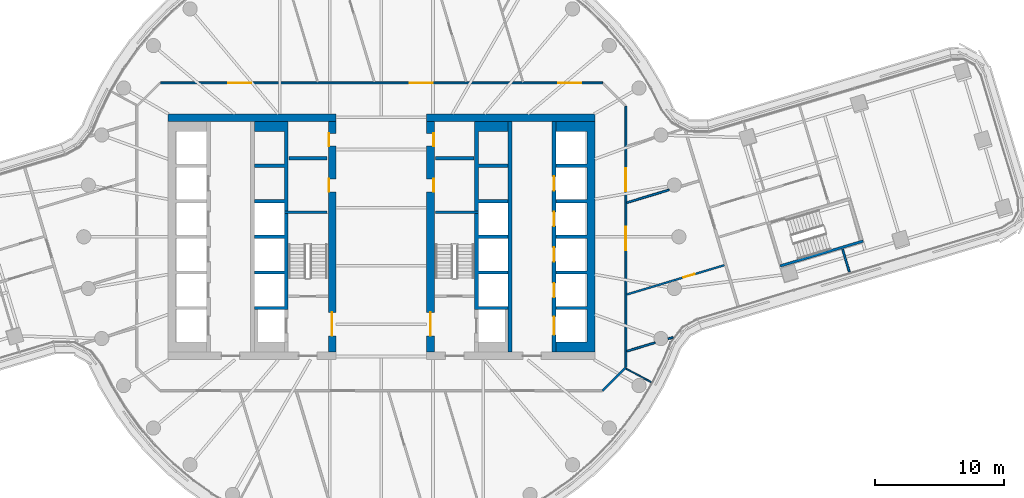
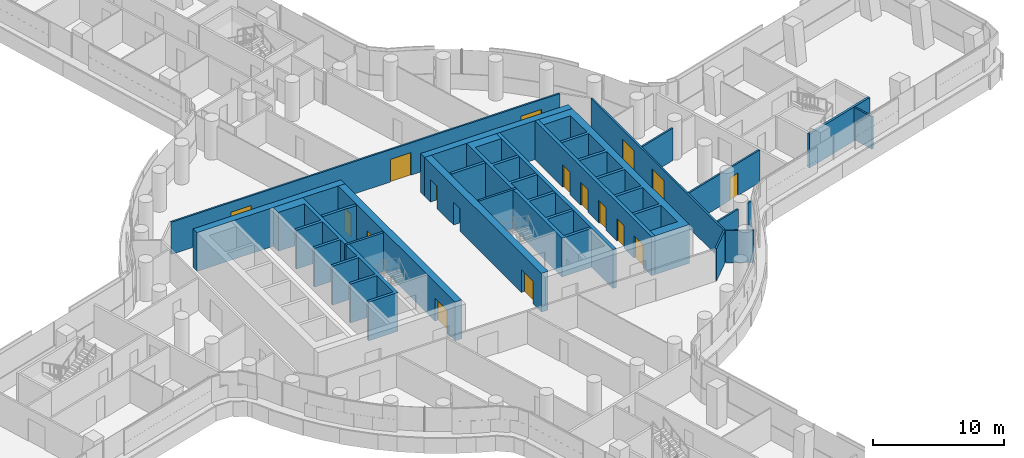
# One storey, part 20 of 32: 23 walls, 17 doors, 17 openings.
"""IFC4 building model written with IfcOpenShell, lengths in metres."""

import ifcopenshell
import ifcopenshell.guid

model = None  # the IFC model being written
_history = None  # IfcOwnerHistory: only IFC2X3 demands one
_inside = {}  # id of a spatial element -> (the spatial element, [elements in it])
_under = {}  # id of a project, library or spatial element -> (it, [spatial elements below it])
_declared = {}  # id of a project -> (the project, [libraries it declares])
_typed = {}  # id of a type object -> (the type object, [elements of that type])
_made_of = {}  # id of a material, layer set ... -> (it, [elements and type objects made of it])


def new_model(schema):
    """Start an empty IFC model of exactly this schema.

    Asked for "IFC4X3", IfcOpenShell would pick the latest addendum, in which some entities
    have other attributes; the version numbers below select the first issue.
    IFC2X3 requires an IfcOwnerHistory on every rooted entity: one is made here for all.
    """
    global model, _history
    if schema == "IFC4X3":
        model = ifcopenshell.file(schema_version=(4, 3, 0, 0))
    else:
        model = ifcopenshell.file(schema=schema)
    _inside.clear()
    _under.clear()
    _declared.clear()
    _typed.clear()
    _made_of.clear()
    _history = None
    if model.schema == "IFC2X3":
        org = make("IfcOrganization", Name="unknown")
        user = make(
            "IfcPersonAndOrganization",
            ThePerson=make("IfcPerson", FamilyName="unknown"),
            TheOrganization=org,
        )
        app = make(
            "IfcApplication",
            ApplicationDeveloper=org,
            Version="unknown",
            ApplicationFullName="unknown",
            ApplicationIdentifier="unknown",
        )
        _history = make(
            "IfcOwnerHistory",
            OwningUser=user,
            OwningApplication=app,
            ChangeAction="ADDED",
            CreationDate=0,
        )
    return model


def make(cls, **values):
    """One entity of the class cls with the attributes given. An attribute that is None is left unset."""
    return model.create_entity(
        cls, **{name: value for name, value in values.items() if value is not None}
    )


def rooted(cls, **values):
    """An entity with a GlobalId (a new one), such as an element, a storey or a relation."""
    return make(cls, GlobalId=ifcopenshell.guid.new(), OwnerHistory=_history, **values)


def si_unit(unit_type, name, prefix=None):
    """IfcSIUnit, for example si_unit("LENGTHUNIT", "METRE", prefix="MILLI")."""
    return make("IfcSIUnit", UnitType=unit_type, Prefix=prefix, Name=name)


def assignment(units):
    """IfcUnitAssignment: the units of a project."""
    return None if units is None else make("IfcUnitAssignment", Units=units)


def point(xyz):
    """IfcCartesianPoint."""
    return None if xyz is None else make("IfcCartesianPoint", Coordinates=xyz)


def direction(xyz):
    """IfcDirection."""
    return None if xyz is None else make("IfcDirection", DirectionRatios=xyz)


def frame(location, z_axis=None, x_axis=None):
    """IfcAxis2Placement3D, a coordinate frame: its origin and axes. An axis left out is left unset."""
    return make(
        "IfcAxis2Placement3D",
        Location=point(location),
        Axis=direction(z_axis),
        RefDirection=direction(x_axis),
    )


def frame_2d(location, x_axis=None):
    """IfcAxis2Placement2D, a coordinate frame in the plane: its origin and x axis."""
    return make(
        "IfcAxis2Placement2D", Location=point(location), RefDirection=direction(x_axis)
    )


def origin():
    """The frame at (0, 0, 0) with its axes left unset."""
    return frame((0.0, 0.0, 0.0))


def place(relative_to, where):
    """IfcLocalPlacement: puts the frame where relative to a parent placement (None: the world)."""
    return make(
        "IfcLocalPlacement", PlacementRelTo=relative_to, RelativePlacement=where
    )


def context(
    kind, dimensions, precision=None, world=None, true_north=None, identifier=None
):
    """IfcGeometricRepresentationContext, for example the 3D "Model" context."""
    return make(
        "IfcGeometricRepresentationContext",
        ContextIdentifier=identifier,
        ContextType=kind,
        CoordinateSpaceDimension=dimensions,
        Precision=precision,
        WorldCoordinateSystem=world,
        TrueNorth=true_north,
    )


def subcontext(parent, identifier, kind, view, scale=None):
    """IfcGeometricRepresentationSubContext, for example "Body" below "Model"."""
    return make(
        "IfcGeometricRepresentationSubContext",
        ContextIdentifier=identifier,
        ContextType=kind,
        ParentContext=parent,
        TargetScale=scale,
        TargetView=view,
    )


def project(units=None, contexts=None):
    """IfcProject with its units and contexts."""
    return rooted(
        "IfcProject",
        Name="project",
        RepresentationContexts=contexts,
        UnitsInContext=assignment(units),
    )


def spatial(cls, under=None, at=None, **own):
    """A site, building, storey or space (cls), placed at a placement, below another one or the project."""
    s = rooted(cls, ObjectPlacement=at, **own)
    if under is not None:
        _under.setdefault(under.id(), (under, []))[1].append(s)
    return s


def polyline(points):
    """IfcPolyline through the points."""
    return make("IfcPolyline", Points=[point(p) for p in points])


def profile(cls, at=None, kind="AREA", **sizes):
    """A parametric profile (cls). Its sizes go by their IFC names, for example OverallWidth=200.0."""
    return make(cls, ProfileType=kind, Position=at, **sizes)


def rectangle(**sizes):
    """IfcRectangleProfileDef."""
    return profile("IfcRectangleProfileDef", **sizes)


def outline(outer, holes=None, kind="AREA"):
    """IfcArbitraryClosedProfileDef: a profile drawn as a closed curve; with holes, ...WithVoids."""
    if holes is None:
        return make("IfcArbitraryClosedProfileDef", ProfileType=kind, OuterCurve=outer)
    return make(
        "IfcArbitraryProfileDefWithVoids",
        ProfileType=kind,
        OuterCurve=outer,
        InnerCurves=holes,
    )


def extrude(swept, where, along, depth):
    """IfcExtrudedAreaSolid: the profile swept, set in the frame where, extruded along a direction by depth."""
    return make(
        "IfcExtrudedAreaSolid",
        SweptArea=swept,
        Position=where,
        ExtrudedDirection=direction(along),
        Depth=depth,
    )


def shape(context_of_items, identifier, shape_type, items):
    """IfcShapeRepresentation: the items that make up one representation, for example the "Body"."""
    return make(
        "IfcShapeRepresentation",
        ContextOfItems=context_of_items,
        RepresentationIdentifier=identifier,
        RepresentationType=shape_type,
        Items=items,
    )


def material(Name=None, Category=None):
    """IfcMaterial."""
    return make("IfcMaterial", Name=Name, Category=Category)


def layer(
    of_material, thickness, ventilated=None, Name=None, Category=None, Priority=None
):
    """IfcMaterialLayer: one layer of a wall or slab, of a material (None: an air gap)."""
    return make(
        "IfcMaterialLayer",
        Material=of_material,
        LayerThickness=thickness,
        IsVentilated=ventilated,
        Name=Name,
        Category=Category,
        Priority=Priority,
    )


def layer_set(layers, Name=None):
    """IfcMaterialLayerSet."""
    return make("IfcMaterialLayerSet", MaterialLayers=layers, LayerSetName=Name)


def made_of(thing, what):
    """Note that an element or type object is made of a material, layer set ...; save() writes the relation."""
    if what is not None:
        _made_of.setdefault(what.id(), (what, []))[1].append(thing)
    return thing


def type_object(cls, material=None, **own):
    """A type object (cls), such as IfcWallType, which elements share."""
    return made_of(rooted(cls, **own), material)


def element(
    cls,
    number,
    at=None,
    inside=None,
    cuts=None,
    type_object=None,
    material=None,
    context=None,
    identifier="Body",
    shape_type=None,
    held_by="IfcProductDefinitionShape",
    body=None,
    shapes=None,
    **own,
):
    """One element of the class cls, such as IfcWall. Its Tag is "e" and its number.

    at: its placement. inside: the storey or other place that contains it. cuts: it is an
    opening in that element (IfcRelVoidsElement). A single representation is given by context,
    identifier, shape_type and body (its items); several are given by shapes. held_by: the class
    of the entity that holds the representations. save() writes the other relations.
    """
    e = rooted(cls, Tag="e%d" % number, ObjectPlacement=at, **own)
    if body is not None:
        shapes = [shape(context, identifier, shape_type, body)]
    if shapes is not None:
        e.Representation = make(held_by, Representations=shapes)
    if inside is not None:
        _inside.setdefault(inside.id(), (inside, []))[1].append(e)
    if cuts is not None:
        rooted(
            "IfcRelVoidsElement", RelatingBuildingElement=cuts, RelatedOpeningElement=e
        )
    if type_object is not None:
        _typed.setdefault(type_object.id(), (type_object, []))[1].append(e)
    return made_of(e, material)


def fill(opening, filler):
    """IfcRelFillsElement: the door or window that sits in an opening."""
    return rooted(
        "IfcRelFillsElement",
        RelatingOpeningElement=opening,
        RelatedBuildingElement=filler,
    )


def aggregate(whole, parts):
    """IfcRelAggregates: a whole, such as a stair, and the parts it consists of."""
    return rooted("IfcRelAggregates", RelatingObject=whole, RelatedObjects=parts)


def save(model, path):
    """Write the relations noted so far, then the file.

    IfcRelAggregates (storeys below a building ...), IfcRelContainedInSpatialStructure (elements
    in a storey), IfcRelDefinesByType, IfcRelAssociatesMaterial and IfcRelDeclares: one each for
    every whole, place, type object, material and project.
    """
    for whole, parts in _under.values():
        aggregate(whole, parts)
    for where, things in _inside.values():
        rooted(
            "IfcRelContainedInSpatialStructure",
            RelatedElements=things,
            RelatingStructure=where,
        )
    for kind, things in _typed.values():
        rooted("IfcRelDefinesByType", RelatedObjects=things, RelatingType=kind)
    for what, things in _made_of.values():
        rooted("IfcRelAssociatesMaterial", RelatedObjects=things, RelatingMaterial=what)
    for by, libraries in _declared.values():
        rooted("IfcRelDeclares", RelatingContext=by, RelatedDefinitions=libraries)
    model.write(path)


model = new_model("IFC4")

# Units and contexts
model_context = context("Model", 3, precision=1e-05, world=origin(), true_north=direction((0.0, 1.0)))
body_context = subcontext(model_context, "Body", "Model", "MODEL_VIEW")
ifc_project = project(units=[si_unit("LENGTHUNIT", "METRE"), si_unit("AREAUNIT", "SQUARE_METRE"), si_unit("VOLUMEUNIT", "CUBIC_METRE"), si_unit("PLANEANGLEUNIT", "RADIAN"), si_unit("MASSUNIT", "GRAM", prefix="KILO")], contexts=[model_context])

# Site, building, storey
site_placement = place(None, origin())
site = spatial("IfcSite", under=ifc_project, at=site_placement, CompositionType="ELEMENT")
building_placement = place(site_placement, origin())
building = spatial("IfcBuilding", under=site, at=building_placement, Name="Tamarind Cross Interchange Tower", CompositionType="ELEMENT")
storey_placement = place(building_placement, frame((0.0, 0.0, 94.75)))
storey = spatial("IfcBuildingStorey", under=building, at=storey_placement, Name="L22", CompositionType="ELEMENT", Elevation=94.75)

# Wall
ifc_material_1 = material(Name="Concrete C70", Category="concrete")
ifc_layer_1 = layer(ifc_material_1, 0.60009765625)
ifc_layer_set_1 = layer_set([ifc_layer_1], Name="Concrete C70")
wall_type_1 = type_object("IfcWallType", Name="Core wall 600 mm Concrete C70", PredefinedType="SHEAR", material=ifc_layer_set_1)
wall_1_placement = place(storey_placement, frame((-16.5, 9.199951171875, 0.0), z_axis=(0.0, 0.0, 1.0), x_axis=(1.0, 0.0, 0.0)))
element("IfcWall", 1, at=wall_1_placement, inside=storey, type_object=wall_type_1, Name="Core wall CWL-L22-W-NE", PredefinedType="SHEAR", context=body_context, shape_type="SweptSolid", body=[
    extrude(rectangle(XDim=13.0, YDim=0.60009765625, at=frame_2d((6.5, 0.0))), origin(), (0.0, 0.0, 1.0), 3.610107421875),
])

# Wall, openings, doors
wall_2_placement = place(storey_placement, frame((-3.800048828125, -8.89990234375, 0.0), z_axis=(0.0, 0.0, 1.0), x_axis=(0.0, 1.0, 0.0)))
wall_2 = element("IfcWall", 2, at=wall_2_placement, inside=storey, type_object=wall_type_1, Name="Core wall CWL-L22-W-IN", PredefinedType="SHEAR", context=body_context, shape_type="SweptSolid", body=[
    extrude(rectangle(XDim=17.7998046875, YDim=0.60009765625, at=frame_2d((8.89990234375, 0.0))), origin(), (0.0, 0.0, 1.0), 3.610107421875),
])
opening_1_placement = place(wall_2_placement, frame((1.25, 0.0, 0.0)))
opening_1 = element("IfcOpeningElement", 3, at=opening_1_placement, cuts=wall_2, Name="Opening DCW4", PredefinedType="OPENING", context=body_context, shape_type="SweptSolid", body=[
    extrude(rectangle(XDim=1.800048828125, YDim=2.10009765625, at=frame_2d((0.89990234375, 1.050048828125))), frame((0.0, 0.31005859375, 0.0), z_axis=(0.0, -1.0, 0.0), x_axis=(1.0, 0.0, 0.0)), (0.0, 0.0, 1.0), 0.6201171875),
])
opening_2_placement = place(wall_2_placement, frame((12.37744140625, 0.0, 0.0)))
opening_2 = element("IfcOpeningElement", 4, at=opening_2_placement, cuts=wall_2, Name="Opening DCW5", PredefinedType="OPENING", context=body_context, shape_type="SweptSolid", body=[
    extrude(rectangle(XDim=1.0, YDim=2.10009765625, at=frame_2d((0.5, 1.050048828125))), frame((0.0, 0.31005859375, 0.0), z_axis=(0.0, -1.0, 0.0), x_axis=(1.0, 0.0, 0.0)), (0.0, 0.0, 1.0), 0.6201171875),
])
opening_3_placement = place(wall_2_placement, frame((15.902587890625, 0.0, 0.0)))
opening_3 = element("IfcOpeningElement", 5, at=opening_3_placement, cuts=wall_2, Name="Opening DCW5", PredefinedType="OPENING", context=body_context, shape_type="SweptSolid", body=[
    extrude(rectangle(XDim=1.0, YDim=2.10009765625, at=frame_2d((0.5, 1.050048828125))), frame((0.0, 0.31005859375, 0.0), z_axis=(0.0, -1.0, 0.0), x_axis=(1.0, 0.0, 0.0)), (0.0, 0.0, 1.0), 0.6201171875),
])
ifc_material_2 = material(Name="Steel, fire-resisting", Category="steel")
door_type_1 = type_object("IfcDoorType", Name="Core fire door 1000 x 2100 FD90", OperationType="SINGLE_SWING_LEFT", PredefinedType="DOOR", material=ifc_material_2)
door_1_placement = place(opening_2_placement, origin())
door_1 = element("IfcDoor", 6, at=door_1_placement, inside=storey, type_object=door_type_1, Name="L22 cleaner's store door", OperationType="SINGLE_SWING_LEFT", OverallHeight=2.10009765625, OverallWidth=1.0, PredefinedType="DOOR", context=body_context, shape_type="SweptSolid", body=[
    extrude(rectangle(XDim=1.0, YDim=2.10009765625, at=frame_2d((0.5, 1.050048828125))), frame((0.0, 0.27490234375, 0.0), z_axis=(0.0, -1.0, 0.0), x_axis=(1.0, 0.0, 0.0)), (0.0, 0.0, 1.0), 0.050048828125),
])
fill(opening_2, door_1)
door_2_placement = place(opening_3_placement, origin())
door_2 = element("IfcDoor", 7, at=door_2_placement, inside=storey, type_object=door_type_1, Name="L22 comms room door", OperationType="SINGLE_SWING_LEFT", OverallHeight=2.10009765625, OverallWidth=1.0, PredefinedType="DOOR", context=body_context, shape_type="SweptSolid", body=[
    extrude(rectangle(XDim=1.0, YDim=2.10009765625, at=frame_2d((0.5, 1.050048828125))), frame((0.0, 0.27490234375, 0.0), z_axis=(0.0, -1.0, 0.0), x_axis=(1.0, 0.0, 0.0)), (0.0, 0.0, 1.0), 0.050048828125),
])
fill(opening_3, door_2)
door_type_2 = type_object("IfcDoorType", Name="Core fire door 1800 x 2100 FD90", OperationType="SINGLE_SWING_LEFT", PredefinedType="DOOR", material=ifc_material_2)
door_3_placement = place(opening_1_placement, origin())
door_3 = element("IfcDoor", 8, at=door_3_placement, inside=storey, type_object=door_type_2, Name="L22 firefighting lobby door", OperationType="SINGLE_SWING_LEFT", OverallHeight=2.10009765625, OverallWidth=1.800048828125, PredefinedType="DOOR", context=body_context, shape_type="SweptSolid", body=[
    extrude(rectangle(XDim=1.800048828125, YDim=2.10009765625, at=frame_2d((0.89990234375, 1.050048828125))), frame((0.0, 0.02490234375, 0.0), z_axis=(0.0, -1.0, 0.0), x_axis=(1.0, 0.0, 0.0)), (0.0, 0.0, 1.0), 0.050048828125),
])
fill(opening_1, door_3)

# Walls
wall_3_placement = place(storey_placement, origin())
element("IfcWall", 9, at=wall_3_placement, inside=storey, type_object=wall_type_1, Name="Core wall CWL-L22-E-A", PredefinedType="SHEAR", context=body_context, shape_type="SweptSolid", body=[
    extrude(outline(polyline([(13.5, -8.89990234375), (15.89990234375, -8.89990234375), (16.5, -8.89990234375), (16.5, 8.89990234375), (15.89990234375, 8.89990234375), (13.5, 8.89990234375), (13.5, 8.125), (15.89990234375, 8.125), (15.89990234375, 5.625), (13.5, 5.625), (13.5, 5.375), (15.89990234375, 5.375), (15.89990234375, 2.875), (13.5, 2.875), (13.5, 2.625), (15.89990234375, 2.625), (15.89990234375, 0.125), (13.5, 0.125), (13.5, -0.125), (15.89990234375, -0.125), (15.89990234375, -2.625), (13.5, -2.625), (13.5, -2.875), (15.89990234375, -2.875), (15.89990234375, -5.375), (13.5, -5.375), (13.5, -5.625), (15.89990234375, -5.625), (15.89990234375, -8.125), (13.5, -8.125), (13.5, -8.89990234375)])), origin(), (0.0, 0.0, 1.0), 3.610107421875),
])
wall_4_placement = place(storey_placement, frame((16.5, 9.199951171875, 0.0), z_axis=(0.0, 0.0, 1.0), x_axis=(-1.0, 0.0, 0.0)))
element("IfcWall", 10, at=wall_4_placement, inside=storey, type_object=wall_type_1, Name="Core wall CWL-L22-E-NE", PredefinedType="SHEAR", context=body_context, shape_type="SweptSolid", body=[
    extrude(rectangle(XDim=13.0, YDim=0.60009765625, at=frame_2d((6.5, 0.0))), origin(), (0.0, 0.0, 1.0), 3.610107421875),
])

# Wall, openings, doors
wall_5_placement = place(storey_placement, frame((3.800048828125, -8.89990234375, 0.0), z_axis=(0.0, 0.0, 1.0), x_axis=(0.0, 1.0, 0.0)))
wall_5 = element("IfcWall", 11, at=wall_5_placement, inside=storey, type_object=wall_type_1, Name="Core wall CWL-L22-E-IN", PredefinedType="SHEAR", context=body_context, shape_type="SweptSolid", body=[
    extrude(rectangle(XDim=17.7998046875, YDim=0.60009765625, at=frame_2d((8.89990234375, 0.0))), origin(), (0.0, 0.0, 1.0), 3.610107421875),
])
opening_4_placement = place(wall_5_placement, frame((1.25, 0.0, 0.0)))
opening_4 = element("IfcOpeningElement", 12, at=opening_4_placement, cuts=wall_5, Name="Opening DCE4", PredefinedType="OPENING", context=body_context, shape_type="SweptSolid", body=[
    extrude(rectangle(XDim=1.800048828125, YDim=2.10009765625, at=frame_2d((0.89990234375, 1.050048828125))), frame((0.0, 0.31005859375, 0.0), z_axis=(0.0, -1.0, 0.0), x_axis=(1.0, 0.0, 0.0)), (0.0, 0.0, 1.0), 0.6201171875),
])
opening_5_placement = place(wall_5_placement, frame((12.37744140625, 0.0, 0.0)))
opening_5 = element("IfcOpeningElement", 13, at=opening_5_placement, cuts=wall_5, Name="Opening DCE5", PredefinedType="OPENING", context=body_context, shape_type="SweptSolid", body=[
    extrude(rectangle(XDim=1.0, YDim=2.10009765625, at=frame_2d((0.5, 1.050048828125))), frame((0.0, 0.31005859375, 0.0), z_axis=(0.0, -1.0, 0.0), x_axis=(1.0, 0.0, 0.0)), (0.0, 0.0, 1.0), 0.6201171875),
])
opening_6_placement = place(wall_5_placement, frame((15.902587890625, 0.0, 0.0)))
opening_6 = element("IfcOpeningElement", 14, at=opening_6_placement, cuts=wall_5, Name="Opening DCE5", PredefinedType="OPENING", context=body_context, shape_type="SweptSolid", body=[
    extrude(rectangle(XDim=1.0, YDim=2.10009765625, at=frame_2d((0.5, 1.050048828125))), frame((0.0, 0.31005859375, 0.0), z_axis=(0.0, -1.0, 0.0), x_axis=(1.0, 0.0, 0.0)), (0.0, 0.0, 1.0), 0.6201171875),
])
door_4_placement = place(opening_5_placement, origin())
door_4 = element("IfcDoor", 15, at=door_4_placement, inside=storey, type_object=door_type_1, Name="L22 cleaner's store door", OperationType="SINGLE_SWING_LEFT", OverallHeight=2.10009765625, OverallWidth=1.0, PredefinedType="DOOR", context=body_context, shape_type="SweptSolid", body=[
    extrude(rectangle(XDim=1.0, YDim=2.10009765625, at=frame_2d((0.5, 1.050048828125))), frame((0.0, -0.22509765625, 0.0), z_axis=(0.0, -1.0, 0.0), x_axis=(1.0, 0.0, 0.0)), (0.0, 0.0, 1.0), 0.050048828125),
])
fill(opening_5, door_4)
door_5_placement = place(opening_6_placement, origin())
door_5 = element("IfcDoor", 16, at=door_5_placement, inside=storey, type_object=door_type_1, Name="L22 comms room door", OperationType="SINGLE_SWING_LEFT", OverallHeight=2.10009765625, OverallWidth=1.0, PredefinedType="DOOR", context=body_context, shape_type="SweptSolid", body=[
    extrude(rectangle(XDim=1.0, YDim=2.10009765625, at=frame_2d((0.5, 1.050048828125))), frame((0.0, -0.22509765625, 0.0), z_axis=(0.0, -1.0, 0.0), x_axis=(1.0, 0.0, 0.0)), (0.0, 0.0, 1.0), 0.050048828125),
])
fill(opening_6, door_5)
door_6_placement = place(opening_4_placement, origin())
door_6 = element("IfcDoor", 17, at=door_6_placement, inside=storey, type_object=door_type_2, Name="L22 firefighting lobby door", OperationType="SINGLE_SWING_LEFT", OverallHeight=2.10009765625, OverallWidth=1.800048828125, PredefinedType="DOOR", context=body_context, shape_type="SweptSolid", body=[
    extrude(rectangle(XDim=1.800048828125, YDim=2.10009765625, at=frame_2d((0.89990234375, 1.050048828125))), frame((0.0, 0.02490234375, 0.0), z_axis=(0.0, -1.0, 0.0), x_axis=(1.0, 0.0, 0.0)), (0.0, 0.0, 1.0), 0.050048828125),
])
fill(opening_4, door_6)

# Walls
ifc_layer_2 = layer(ifc_material_1, 0.199951171875)
ifc_layer_set_2 = layer_set([ifc_layer_2], Name="Concrete C70")
wall_type_2 = type_object("IfcWallType", Name="Core web wall 200 mm Concrete C70", PredefinedType="SHEAR", material=ifc_layer_set_2)
for number, where, z_axis, x_axis, name in (
    (18, (-7.5, 1.89990234375, 0.0), (0.0, 0.0, 1.0), (1.0, 0.0, 0.0), "Core wall CWL-L22-W-BD"),
    (19, (7.5, 1.89990234375, 0.0), (0.0, 0.0, 1.0), (-1.0, 0.0, 0.0), "Core wall CWL-L22-E-BD"),
):
    element("IfcWall", number, at=place(storey_placement, frame(where, z_axis=z_axis, x_axis=x_axis)), inside=storey, type_object=wall_type_2, Name=name, PredefinedType="SHEAR", context=body_context, shape_type="SweptSolid", body=[
        extrude(rectangle(XDim=3.300048828125, YDim=0.199951171875, at=frame_2d((1.64990234375, 0.0))), origin(), (0.0, 0.0, 1.0), 3.610107421875),
    ])
ifc_layer_3 = layer(ifc_material_1, 0.300048828125)
ifc_layer_set_3 = layer_set([ifc_layer_3], Name="Concrete C70")
wall_type_3 = type_object("IfcWallType", Name="Core web wall 300 mm Concrete C70", PredefinedType="SHEAR", material=ifc_layer_set_3)
wall_6_placement = place(storey_placement, origin())
element("IfcWall", 20, at=wall_6_placement, inside=storey, type_object=wall_type_3, Name="Core wall CWL-L22-W-BN", PredefinedType="SHEAR", context=body_context, shape_type="SweptSolid", body=[
    extrude(outline(polyline([(-9.800048828125, -5.375), (-9.800048828125, -5.625), (-7.5, -5.625), (-7.199951171875, -5.625), (-7.199951171875, 8.89990234375), (-7.5, 8.89990234375), (-9.800048828125, 8.89990234375), (-9.800048828125, 8.125), (-7.5, 8.125), (-7.5, 5.625), (-9.800048828125, 5.625), (-9.800048828125, 5.375), (-7.5, 5.375), (-7.5, 2.875), (-9.800048828125, 2.875), (-9.800048828125, 2.625), (-7.5, 2.625), (-7.5, 0.125), (-9.800048828125, 0.125), (-9.800048828125, -0.125), (-7.5, -0.125), (-7.5, -2.625), (-9.800048828125, -2.625), (-9.800048828125, -2.875), (-7.5, -2.875), (-7.5, -5.375), (-9.800048828125, -5.375)])), origin(), (0.0, 0.0, 1.0), 3.610107421875),
])
wall_7_placement = place(storey_placement, origin())
element("IfcWall", 21, at=wall_7_placement, inside=storey, type_object=wall_type_3, Name="Core wall CWL-L22-E-BN", PredefinedType="SHEAR", context=body_context, shape_type="SweptSolid", body=[
    extrude(outline(polyline([(9.800048828125, -5.375), (7.5, -5.375), (7.5, -2.875), (9.800048828125, -2.875), (9.800048828125, -2.625), (7.5, -2.625), (7.5, -0.125), (9.800048828125, -0.125), (9.800048828125, 0.125), (7.5, 0.125), (7.5, 2.625), (9.800048828125, 2.625), (9.800048828125, 2.875), (7.5, 2.875), (7.5, 5.375), (9.800048828125, 5.375), (9.800048828125, 5.625), (7.5, 5.625), (7.5, 8.125), (9.800048828125, 8.125), (9.800048828125, 8.89990234375), (7.5, 8.89990234375), (7.199951171875, 8.89990234375), (7.199951171875, -5.625), (7.5, -5.625), (9.800048828125, -5.625), (9.800048828125, -5.375)])), origin(), (0.0, 0.0, 1.0), 3.610107421875),
])

# Wall, openings, doors
wall_8_placement = place(storey_placement, frame((13.35009765625, -8.89990234375, 0.0), z_axis=(0.0, 0.0, 1.0), x_axis=(0.0, 1.0, 0.0)))
wall_8 = element("IfcWall", 22, at=wall_8_placement, inside=storey, type_object=wall_type_3, Name="Core wall CWL-L22-E-LA", PredefinedType="SHEAR", context=body_context, shape_type="SweptSolid", body=[
    extrude(rectangle(XDim=17.7998046875, YDim=0.300048828125, at=frame_2d((8.89990234375, 0.0))), origin(), (0.0, 0.0, 1.0), 3.610107421875),
])
opening_7_placement = place(wall_8_placement, frame((1.324951171875, 0.0, 0.0)))
opening_7 = element("IfcOpeningElement", 23, at=opening_7_placement, cuts=wall_8, Name="Opening LD13L22", PredefinedType="OPENING", context=body_context, shape_type="SweptSolid", body=[
    extrude(rectangle(XDim=1.39990234375, YDim=2.10009765625, at=frame_2d((0.699951171875, 1.050048828125))), frame((0.0, 0.159912109375, 0.0), z_axis=(0.0, -1.0, 0.0), x_axis=(1.0, 0.0, 0.0)), (0.0, 0.0, 1.0), 0.320068359375),
])
opening_8_placement = place(wall_8_placement, frame((4.22509765625, 0.0, 0.0)))
opening_8 = element("IfcOpeningElement", 24, at=opening_8_placement, cuts=wall_8, Name="Opening LD14L22", PredefinedType="OPENING", context=body_context, shape_type="SweptSolid", body=[
    extrude(rectangle(XDim=1.10009765625, YDim=2.10009765625, at=frame_2d((0.550048828125, 1.050048828125))), frame((0.0, 0.159912109375, 0.0), z_axis=(0.0, -1.0, 0.0), x_axis=(1.0, 0.0, 0.0)), (0.0, 0.0, 1.0), 0.320068359375),
])
opening_9_placement = place(wall_8_placement, frame((6.97509765625, 0.0, 0.0)))
opening_9 = element("IfcOpeningElement", 25, at=opening_9_placement, cuts=wall_8, Name="Opening LD15L22", PredefinedType="OPENING", context=body_context, shape_type="SweptSolid", body=[
    extrude(rectangle(XDim=1.10009765625, YDim=2.10009765625, at=frame_2d((0.550048828125, 1.050048828125))), frame((0.0, 0.159912109375, 0.0), z_axis=(0.0, -1.0, 0.0), x_axis=(1.0, 0.0, 0.0)), (0.0, 0.0, 1.0), 0.320068359375),
])
opening_10_placement = place(wall_8_placement, frame((9.72509765625, 0.0, 0.0)))
opening_10 = element("IfcOpeningElement", 26, at=opening_10_placement, cuts=wall_8, Name="Opening LD16L22", PredefinedType="OPENING", context=body_context, shape_type="SweptSolid", body=[
    extrude(rectangle(XDim=1.10009765625, YDim=2.10009765625, at=frame_2d((0.550048828125, 1.050048828125))), frame((0.0, 0.159912109375, 0.0), z_axis=(0.0, -1.0, 0.0), x_axis=(1.0, 0.0, 0.0)), (0.0, 0.0, 1.0), 0.320068359375),
])
opening_11_placement = place(wall_8_placement, frame((12.47509765625, 0.0, 0.0)))
opening_11 = element("IfcOpeningElement", 27, at=opening_11_placement, cuts=wall_8, Name="Opening LD17L22", PredefinedType="OPENING", context=body_context, shape_type="SweptSolid", body=[
    extrude(rectangle(XDim=1.10009765625, YDim=2.10009765625, at=frame_2d((0.550048828125, 1.050048828125))), frame((0.0, 0.159912109375, 0.0), z_axis=(0.0, -1.0, 0.0), x_axis=(1.0, 0.0, 0.0)), (0.0, 0.0, 1.0), 0.320068359375),
])
ifc_material_3 = material(Name="Stainless steel panel", Category="steel")
door_type_3 = type_object("IfcDoorType", Name="Lift landing door 1100 x 2100 E 120", OperationType="SLIDING_TO_LEFT", PredefinedType="DOOR", material=ifc_material_3)
door_7_placement = place(opening_8_placement, origin())
door_7 = element("IfcDoor", 28, at=door_7_placement, inside=storey, type_object=door_type_3, Name="L22 landing door LF14", OperationType="SLIDING_TO_LEFT", OverallHeight=2.10009765625, OverallWidth=1.10009765625, PredefinedType="DOOR", context=body_context, shape_type="SweptSolid", body=[
    extrude(rectangle(XDim=1.10009765625, YDim=2.10009765625, at=frame_2d((0.550048828125, 1.050048828125))), frame((0.0, 0.02490234375, 0.0), z_axis=(0.0, -1.0, 0.0), x_axis=(1.0, 0.0, 0.0)), (0.0, 0.0, 1.0), 0.050048828125),
])
fill(opening_8, door_7)
door_8_placement = place(opening_9_placement, origin())
door_8 = element("IfcDoor", 29, at=door_8_placement, inside=storey, type_object=door_type_3, Name="L22 landing door LF15", OperationType="SLIDING_TO_LEFT", OverallHeight=2.10009765625, OverallWidth=1.10009765625, PredefinedType="DOOR", context=body_context, shape_type="SweptSolid", body=[
    extrude(rectangle(XDim=1.10009765625, YDim=2.10009765625, at=frame_2d((0.550048828125, 1.050048828125))), frame((0.0, 0.02490234375, 0.0), z_axis=(0.0, -1.0, 0.0), x_axis=(1.0, 0.0, 0.0)), (0.0, 0.0, 1.0), 0.050048828125),
])
fill(opening_9, door_8)
door_9_placement = place(opening_10_placement, origin())
door_9 = element("IfcDoor", 30, at=door_9_placement, inside=storey, type_object=door_type_3, Name="L22 landing door LF16", OperationType="SLIDING_TO_LEFT", OverallHeight=2.10009765625, OverallWidth=1.10009765625, PredefinedType="DOOR", context=body_context, shape_type="SweptSolid", body=[
    extrude(rectangle(XDim=1.10009765625, YDim=2.10009765625, at=frame_2d((0.550048828125, 1.050048828125))), frame((0.0, 0.02490234375, 0.0), z_axis=(0.0, -1.0, 0.0), x_axis=(1.0, 0.0, 0.0)), (0.0, 0.0, 1.0), 0.050048828125),
])
fill(opening_10, door_9)
door_10_placement = place(opening_11_placement, origin())
door_10 = element("IfcDoor", 31, at=door_10_placement, inside=storey, type_object=door_type_3, Name="L22 landing door LF17", OperationType="SLIDING_TO_LEFT", OverallHeight=2.10009765625, OverallWidth=1.10009765625, PredefinedType="DOOR", context=body_context, shape_type="SweptSolid", body=[
    extrude(rectangle(XDim=1.10009765625, YDim=2.10009765625, at=frame_2d((0.550048828125, 1.050048828125))), frame((0.0, 0.02490234375, 0.0), z_axis=(0.0, -1.0, 0.0), x_axis=(1.0, 0.0, 0.0)), (0.0, 0.0, 1.0), 0.050048828125),
])
fill(opening_11, door_10)
door_type_4 = type_object("IfcDoorType", Name="Lift landing door 1400 x 2100 E 120", OperationType="SLIDING_TO_LEFT", PredefinedType="DOOR", material=ifc_material_3)
door_11_placement = place(opening_7_placement, origin())
door_11 = element("IfcDoor", 32, at=door_11_placement, inside=storey, type_object=door_type_4, Name="L22 landing door LF13", OperationType="SLIDING_TO_LEFT", OverallHeight=2.10009765625, OverallWidth=1.39990234375, PredefinedType="DOOR", context=body_context, shape_type="SweptSolid", body=[
    extrude(rectangle(XDim=1.39990234375, YDim=2.10009765625, at=frame_2d((0.699951171875, 1.050048828125))), frame((0.0, 0.02490234375, 0.0), z_axis=(0.0, -1.0, 0.0), x_axis=(1.0, 0.0, 0.0)), (0.0, 0.0, 1.0), 0.050048828125),
])
fill(opening_7, door_11)

# Walls
wall_9_placement = place(storey_placement, frame((9.949951171875, -8.89990234375, 0.0), z_axis=(0.0, 0.0, 1.0), x_axis=(0.0, 1.0, 0.0)))
element("IfcWall", 33, at=wall_9_placement, inside=storey, type_object=wall_type_3, Name="Core wall CWL-L22-E-LB", PredefinedType="SHEAR", context=body_context, shape_type="SweptSolid", body=[
    extrude(rectangle(XDim=17.7998046875, YDim=0.300048828125, at=frame_2d((8.89990234375, 0.0))), origin(), (0.0, 0.0, 1.0), 3.610107421875),
])
ifc_material_4 = material(Name="Gypsum board partition on steel studs", Category="steel")
ifc_layer_4 = layer(ifc_material_4, 0.10009765625)
ifc_layer_set_4 = layer_set([ifc_layer_4], Name="Gypsum board partition on steel studs")
wall_type_4 = type_object("IfcWallType", Name="Partition 100 mm EI 90", PredefinedType="PARTITIONING", material=ifc_layer_set_4)
wall_10_placement = place(storey_placement, frame((18.92578125, -10.192626953125, 0.0), z_axis=(0.0, 0.0, 1.0), x_axis=(0.880503218244, -0.474040169883, 0.0)))
element("IfcWall", 34, at=wall_10_placement, inside=storey, type_object=wall_type_4, Name="Partition L22-037", PredefinedType="PARTITIONING", context=body_context, shape_type="SweptSolid", body=[
    extrude(rectangle(XDim=2.196533203125, YDim=0.10009765625, at=frame_2d((1.09814453125, 0.0))), origin(), (0.0, 0.0, 1.0), 3.010009765625),
])
ifc_layer_5 = layer(ifc_material_4, 0.14990234375)
ifc_layer_set_5 = layer_set([ifc_layer_5], Name="Gypsum board partition on steel studs")
wall_type_5 = type_object("IfcWallType", Name="Partition 150 mm EI 120", PredefinedType="PARTITIONING", material=ifc_layer_set_5)
wall_11_placement = place(storey_placement, frame((35.6513671875, -0.95361328125, 0.0), z_axis=(0.0, 0.0, 1.0), x_axis=(0.287637063937, -0.957739484124, 0.0)))
element("IfcWall", 35, at=wall_11_placement, inside=storey, type_object=wall_type_5, Name="Partition L22-033", PredefinedType="PARTITIONING", context=body_context, shape_type="SweptSolid", body=[
    extrude(rectangle(XDim=1.85888671875, YDim=0.14990234375, at=frame_2d((0.929443359375, 0.0))), origin(), (0.0, 0.0, 1.0), 3.010009765625),
])

# Wall, openings, doors
wall_12_placement = place(storey_placement, frame((-17.06494140625, 11.89990234375, 0.0), z_axis=(0.0, 0.0, 1.0), x_axis=(1.0, 0.0, 0.0)))
wall_12 = element("IfcWall", 36, at=wall_12_placement, inside=storey, type_object=wall_type_5, Name="Partition L22-039", PredefinedType="PARTITIONING", context=body_context, shape_type="SweptSolid", body=[
    extrude(rectangle(XDim=34.1650390625, YDim=0.14990234375, at=frame_2d((17.08251953125, 0.0))), origin(), (0.0, 0.0, 1.0), 3.010009765625),
])
opening_12_placement = place(wall_12_placement, frame((19.248046875, 0.0, 0.0)))
opening_12 = element("IfcOpeningElement", 37, at=opening_12_placement, cuts=wall_12, Name="Opening D25", PredefinedType="OPENING", context=body_context, shape_type="SweptSolid", body=[
    extrude(rectangle(XDim=1.800048828125, YDim=2.10009765625, at=frame_2d((0.89990234375, 1.050048828125))), frame((0.0, 0.0849609375, 0.0), z_axis=(0.0, -1.0, 0.0), x_axis=(1.0, 0.0, 0.0)), (0.0, 0.0, 1.0), 0.169921875),
])
opening_13_placement = place(wall_12_placement, frame((30.73388671875, 0.0, 0.0)))
opening_13 = element("IfcOpeningElement", 38, at=opening_13_placement, cuts=wall_12, Name="Opening D26", PredefinedType="OPENING", context=body_context, shape_type="SweptSolid", body=[
    extrude(rectangle(XDim=1.800048828125, YDim=2.10009765625, at=frame_2d((0.89990234375, 1.050048828125))), frame((0.0, 0.0849609375, 0.0), z_axis=(0.0, -1.0, 0.0), x_axis=(1.0, 0.0, 0.0)), (0.0, 0.0, 1.0), 0.169921875),
])
opening_14_placement = place(wall_12_placement, frame((5.215087890625, 0.0, 0.0)))
opening_14 = element("IfcOpeningElement", 39, at=opening_14_placement, cuts=wall_12, Name="Opening D27", PredefinedType="OPENING", context=body_context, shape_type="SweptSolid", body=[
    extrude(rectangle(XDim=1.800048828125, YDim=2.10009765625, at=frame_2d((0.89990234375, 1.050048828125))), frame((0.0, 0.0849609375, 0.0), z_axis=(0.0, -1.0, 0.0), x_axis=(1.0, 0.0, 0.0)), (0.0, 0.0, 1.0), 0.169921875),
])
ifc_material_5 = material(Name="Fire-resisting door set")
door_type_5 = type_object("IfcDoorType", Name="Interior door 1800 x 2100 FD60S", OperationType="DOUBLE_DOOR_SINGLE_SWING", PredefinedType="DOOR", material=ifc_material_5)
door_12_placement = place(opening_12_placement, frame((1.800048828125, 0.0, 0.0), z_axis=(0.0, 0.0, 1.0), x_axis=(-1.0, 0.0, 0.0)))
door_12 = element("IfcDoor", 40, at=door_12_placement, inside=storey, type_object=door_type_5, Name="Door D25", OperationType="DOUBLE_DOOR_SINGLE_SWING", OverallHeight=2.10009765625, OverallWidth=1.800048828125, PredefinedType="DOOR", context=body_context, shape_type="SweptSolid", body=[
    extrude(rectangle(XDim=1.800048828125, YDim=2.10009765625, at=frame_2d((0.89990234375, 1.050048828125))), frame((0.0, 0.02490234375, 0.0), z_axis=(0.0, -1.0, 0.0), x_axis=(1.0, 0.0, 0.0)), (0.0, 0.0, 1.0), 0.050048828125),
])
fill(opening_12, door_12)
door_13_placement = place(opening_13_placement, origin())
door_13 = element("IfcDoor", 41, at=door_13_placement, inside=storey, type_object=door_type_5, Name="Door D26", OperationType="DOUBLE_DOOR_SINGLE_SWING", OverallHeight=2.10009765625, OverallWidth=1.800048828125, PredefinedType="DOOR", context=body_context, shape_type="SweptSolid", body=[
    extrude(rectangle(XDim=1.800048828125, YDim=2.10009765625, at=frame_2d((0.89990234375, 1.050048828125))), frame((0.0, 0.02490234375, 0.0), z_axis=(0.0, -1.0, 0.0), x_axis=(1.0, 0.0, 0.0)), (0.0, 0.0, 1.0), 0.050048828125),
])
fill(opening_13, door_13)
door_14_placement = place(opening_14_placement, origin())
door_14 = element("IfcDoor", 42, at=door_14_placement, inside=storey, type_object=door_type_5, Name="Door D27", OperationType="DOUBLE_DOOR_SINGLE_SWING", OverallHeight=2.10009765625, OverallWidth=1.800048828125, PredefinedType="DOOR", context=body_context, shape_type="SweptSolid", body=[
    extrude(rectangle(XDim=1.800048828125, YDim=2.10009765625, at=frame_2d((0.89990234375, 1.050048828125))), frame((0.0, 0.02490234375, 0.0), z_axis=(0.0, -1.0, 0.0), x_axis=(1.0, 0.0, 0.0)), (0.0, 0.0, 1.0), 0.050048828125),
])
fill(opening_14, door_14)

# Wall, opening, door
wall_13_placement = place(storey_placement, frame((18.9765625, -4.4580078125, 0.0), z_axis=(0.0, 0.0, 1.0), x_axis=(0.957722947088, 0.287692121236, 0.0)))
wall_13 = element("IfcWall", 43, at=wall_13_placement, inside=storey, type_object=wall_type_5, Name="Partition L22-068", PredefinedType="PARTITIONING", context=body_context, shape_type="SweptSolid", body=[
    extrude(rectangle(XDim=7.87255859375, YDim=0.14990234375, at=frame_2d((3.936279296875, 0.0))), origin(), (0.0, 0.0, 1.0), 3.010009765625),
])
opening_15_placement = place(wall_13_placement, frame((4.570068359375, 0.0, 0.0)))
opening_15 = element("IfcOpeningElement", 44, at=opening_15_placement, cuts=wall_13, Name="Opening D37", PredefinedType="OPENING", context=body_context, shape_type="SweptSolid", body=[
    extrude(rectangle(XDim=0.89990234375, YDim=2.10009765625, at=frame_2d((0.449951171875, 1.050048828125))), frame((0.0, 0.0849609375, 0.0), z_axis=(0.0, -1.0, 0.0), x_axis=(1.0, 0.0, 0.0)), (0.0, 0.0, 1.0), 0.169921875),
])
door_type_6 = type_object("IfcDoorType", Name="Interior door 900 x 2100 FD60S", OperationType="SINGLE_SWING_LEFT", PredefinedType="DOOR", material=ifc_material_5)
door_15_placement = place(opening_15_placement, frame((0.89990234375, 0.0, 0.0), z_axis=(0.0, 0.0, 1.0), x_axis=(-1.0, 0.0, 0.0)))
door_15 = element("IfcDoor", 45, at=door_15_placement, inside=storey, type_object=door_type_6, Name="Door D37", OperationType="SINGLE_SWING_RIGHT", OverallHeight=2.10009765625, OverallWidth=0.89990234375, PredefinedType="DOOR", context=body_context, shape_type="SweptSolid", body=[
    extrude(rectangle(XDim=0.89990234375, YDim=2.10009765625, at=frame_2d((0.449951171875, 1.050048828125))), frame((0.0, 0.02490234375, 0.0), z_axis=(0.0, -1.0, 0.0), x_axis=(1.0, 0.0, 0.0)), (0.0, 0.0, 1.0), 0.050048828125),
])
fill(opening_15, door_15)

# Walls
wall_14_placement = place(storey_placement, frame((18.9765625, 2.64208984375, 0.0), z_axis=(0.0, 0.0, 1.0), x_axis=(0.957759484512, 0.287570460631, 0.0)))
element("IfcWall", 46, at=wall_14_placement, inside=storey, type_object=wall_type_5, Name="Partition L22-069", PredefinedType="PARTITIONING", context=body_context, shape_type="SweptSolid", body=[
    extrude(rectangle(XDim=3.42138671875, YDim=0.14990234375, at=frame_2d((1.710693359375, 0.0))), origin(), (0.0, 0.0, 1.0), 3.010009765625),
])
wall_15_placement = place(storey_placement, frame((18.9765625, -8.843017578125, 0.0), z_axis=(0.0, 0.0, 1.0), x_axis=(0.957755743007, 0.287582921496, 0.0)))
element("IfcWall", 47, at=wall_15_placement, inside=storey, type_object=wall_type_5, Name="Partition L22-073", PredefinedType="PARTITIONING", context=body_context, shape_type="SweptSolid", body=[
    extrude(rectangle(XDim=2.287109375, YDim=0.14990234375, at=frame_2d((1.1435546875, 0.0))), origin(), (0.0, 0.0, 1.0), 3.010009765625),
])
wall_16_placement = place(storey_placement, frame((22.16796875, -7.884765625, 0.0), z_axis=(0.0, 0.0, 1.0), x_axis=(0.957726632794, 0.287679851286, 0.0)))
element("IfcWall", 48, at=wall_16_placement, inside=storey, type_object=wall_type_5, Name="Partition L22-074", PredefinedType="PARTITIONING", context=body_context, shape_type="SweptSolid", body=[
    extrude(rectangle(XDim=0.40478515625, YDim=0.14990234375, at=frame_2d((0.202392578125, 0.0))), origin(), (0.0, 0.0, 1.0), 3.010009765625),
])
wall_17_placement = place(storey_placement, frame((17.10009765625, -11.89990234375, 0.0), z_axis=(0.0, 0.0, 1.0), x_axis=(0.707106781187, 0.707106781187, 0.0)))
element("IfcWall", 49, at=wall_17_placement, inside=storey, type_object=wall_type_5, Name="Partition L22-078", PredefinedType="PARTITIONING", context=body_context, shape_type="SweptSolid", body=[
    extrude(rectangle(XDim=2.50537109375, YDim=0.14990234375, at=frame_2d((1.252685546875, 0.0))), origin(), (0.0, 0.0, 1.0), 3.010009765625),
])

# Wall, openings, doors
wall_18_placement = place(storey_placement, frame((18.89990234375, -10.10009765625, 0.0), z_axis=(0.0, 0.0, 1.0), x_axis=(0.0, 1.0, 0.0)))
wall_18 = element("IfcWall", 50, at=wall_18_placement, inside=storey, type_object=wall_type_5, Name="Partition L22-082", PredefinedType="PARTITIONING", context=body_context, shape_type="SweptSolid", body=[
    extrude(rectangle(XDim=20.2001953125, YDim=0.14990234375, at=frame_2d((10.10009765625, 0.0))), origin(), (0.0, 0.0, 1.0), 3.010009765625),
])
opening_16_placement = place(wall_18_placement, frame((9.069091796875, 0.0, 0.0)))
opening_16 = element("IfcOpeningElement", 51, at=opening_16_placement, cuts=wall_18, Name="Opening D43", PredefinedType="OPENING", context=body_context, shape_type="SweptSolid", body=[
    extrude(rectangle(XDim=1.800048828125, YDim=2.10009765625, at=frame_2d((0.89990234375, 1.050048828125))), frame((0.0, 0.0849609375, 0.0), z_axis=(0.0, -1.0, 0.0), x_axis=(1.0, 0.0, 0.0)), (0.0, 0.0, 1.0), 0.169921875),
])
opening_17_placement = place(wall_18_placement, frame((13.618896484375, 0.0, 0.0)))
opening_17 = element("IfcOpeningElement", 52, at=opening_17_placement, cuts=wall_18, Name="Opening D44", PredefinedType="OPENING", context=body_context, shape_type="SweptSolid", body=[
    extrude(rectangle(XDim=1.800048828125, YDim=2.10009765625, at=frame_2d((0.89990234375, 1.050048828125))), frame((0.0, 0.0849609375, 0.0), z_axis=(0.0, -1.0, 0.0), x_axis=(1.0, 0.0, 0.0)), (0.0, 0.0, 1.0), 0.169921875),
])
door_16_placement = place(opening_16_placement, origin())
door_16 = element("IfcDoor", 53, at=door_16_placement, inside=storey, type_object=door_type_5, Name="Door D43", OperationType="DOUBLE_DOOR_SINGLE_SWING", OverallHeight=2.10009765625, OverallWidth=1.800048828125, PredefinedType="DOOR", context=body_context, shape_type="SweptSolid", body=[
    extrude(rectangle(XDim=1.800048828125, YDim=2.10009765625, at=frame_2d((0.89990234375, 1.050048828125))), frame((0.0, 0.02490234375, 0.0), z_axis=(0.0, -1.0, 0.0), x_axis=(1.0, 0.0, 0.0)), (0.0, 0.0, 1.0), 0.050048828125),
])
fill(opening_16, door_16)
door_17_placement = place(opening_17_placement, frame((1.800048828125, 0.0, 0.0), z_axis=(0.0, 0.0, 1.0), x_axis=(-1.0, 0.0, 0.0)))
door_17 = element("IfcDoor", 54, at=door_17_placement, inside=storey, type_object=door_type_5, Name="Door D44", OperationType="DOUBLE_DOOR_SINGLE_SWING", OverallHeight=2.10009765625, OverallWidth=1.800048828125, PredefinedType="DOOR", context=body_context, shape_type="SweptSolid", body=[
    extrude(rectangle(XDim=1.800048828125, YDim=2.10009765625, at=frame_2d((0.89990234375, 1.050048828125))), frame((0.0, 0.02490234375, 0.0), z_axis=(0.0, -1.0, 0.0), x_axis=(1.0, 0.0, 0.0)), (0.0, 0.0, 1.0), 0.050048828125),
])
fill(opening_17, door_17)

# Walls
ifc_material_6 = material(Name="Concrete C40", Category="concrete")
ifc_layer_6 = layer(ifc_material_6, 0.25)
ifc_layer_set_6 = layer_set([ifc_layer_6], Name="Concrete C40")
wall_type_6 = type_object("IfcWallType", Name="Shaft and lobby wall 250 mm Concrete C40", PredefinedType="PARTITIONING", material=ifc_layer_set_6)
for number, where, z_axis, x_axis, name in (
    (55, (-7.14990234375, 6.080078125, 0.0), (0.0, 0.0, 1.0), (1.0, 0.0, 0.0), "Shaft wall CWL-L22-W-SVP"),
    (56, (7.14990234375, 6.080078125, 0.0), (0.0, 0.0, 1.0), (-1.0, 0.0, 0.0), "Shaft wall CWL-L22-E-SVP"),
):
    element("IfcWall", number, at=place(storey_placement, frame(where, z_axis=z_axis, x_axis=x_axis)), inside=storey, type_object=wall_type_6, Name=name, PredefinedType="PARTITIONING", context=body_context, shape_type="SweptSolid", body=[
        extrude(rectangle(XDim=2.949951171875, YDim=0.25, at=frame_2d((1.47509765625, 0.0))), origin(), (0.0, 0.0, 1.0), 3.610107421875),
    ])
ifc_layer_7 = layer(ifc_material_6, 0.199951171875)
ifc_layer_set_7 = layer_set([ifc_layer_7], Name="Concrete C40")
wall_type_7 = type_object("IfcWallType", Name="Stair shaft wall 200 mm Concrete C40", PredefinedType="SHEAR", material=ifc_layer_set_7)
wall_19_placement = place(storey_placement, frame((30.822265625, -2.2578125, -0.139892578125), z_axis=(0.0, 0.0, 1.0), x_axis=(0.957734971426, 0.287652089352, 0.0)))
element("IfcWall", 57, at=wall_19_placement, inside=storey, type_object=wall_type_7, Name="Core wall CWL-L22-ST3-C", PredefinedType="SHEAR", context=body_context, shape_type="SweptSolid", body=[
    extrude(rectangle(XDim=6.699951171875, YDim=0.199951171875, at=frame_2d((3.35009765625, 0.0))), origin(), (0.0, 0.0, 1.0), 3.14990234375),
])

save(model, "model.ifc")
